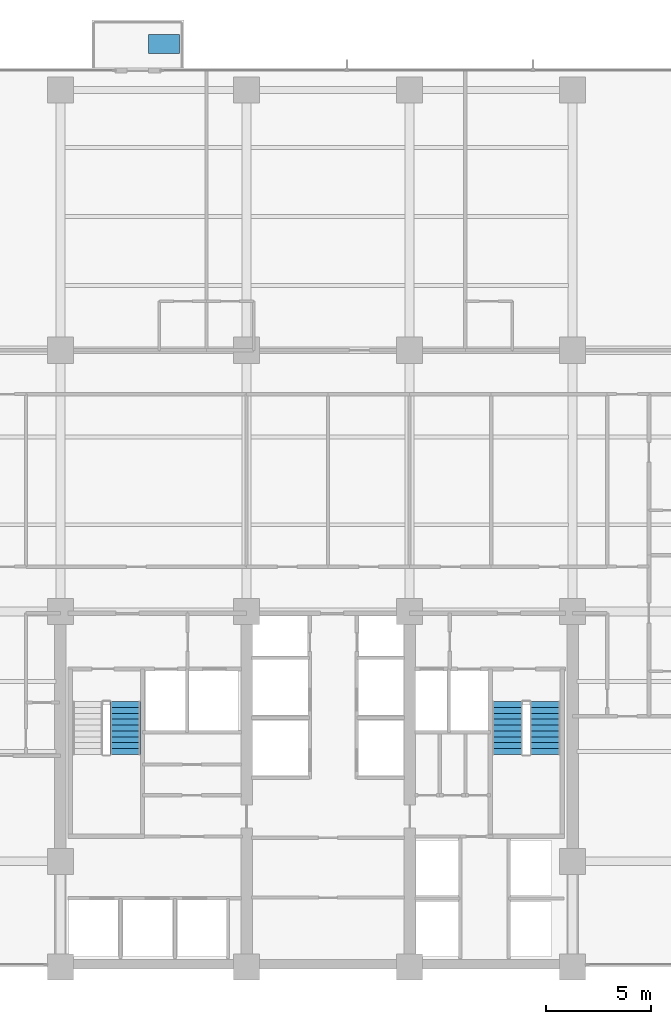
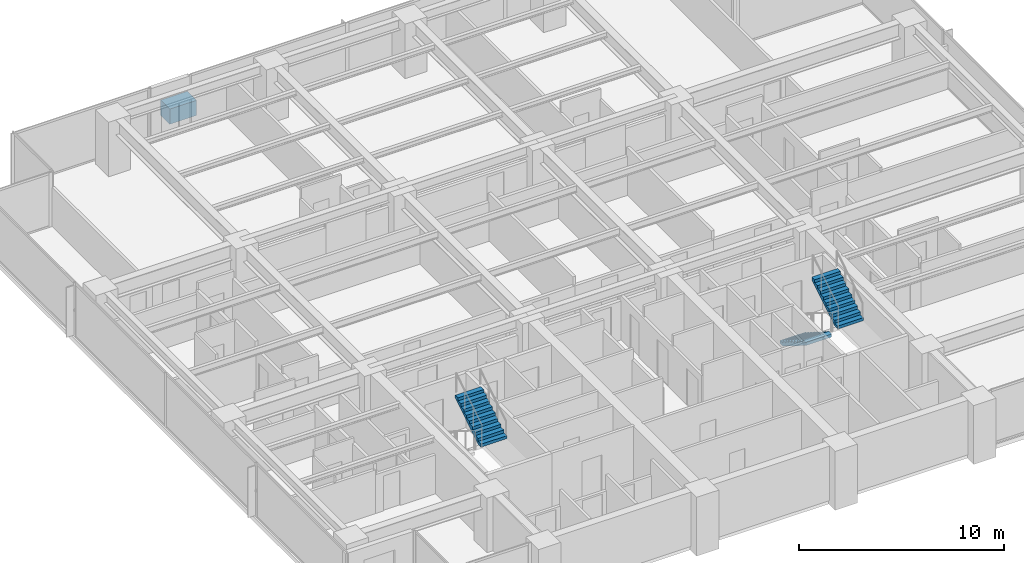
# One storey, part 12 of 17: 3 stair flights, 1 discrete accessory, 2 elements without a shape of their own.
"""IFC4 building model written with IfcOpenShell, lengths in metres."""

from ifc_helpers import new_model, si_unit, direction, frame, origin, place, context, subcontext, project, spatial, polyline, outline, extrude, material, layer, layer_set, type_object, element, aggregate, save


model = new_model("IFC4")

# Units and contexts
model_context = context("Model", 3, precision=1e-05, world=origin(), true_north=direction((0.0, 1.0)))
body_context = subcontext(model_context, "Body", "Model", "MODEL_VIEW")
ifc_project = project(units=[si_unit("LENGTHUNIT", "METRE"), si_unit("AREAUNIT", "SQUARE_METRE"), si_unit("VOLUMEUNIT", "CUBIC_METRE"), si_unit("PLANEANGLEUNIT", "RADIAN"), si_unit("MASSUNIT", "GRAM", prefix="KILO")], contexts=[model_context])

# Site, building, storey
site_placement = place(None, origin())
site = spatial("IfcSite", under=ifc_project, at=site_placement, CompositionType="ELEMENT")
building_placement = place(site_placement, origin())
building = spatial("IfcBuilding", under=site, at=building_placement, Name="Qalmaran Belvedere Hotel", CompositionType="ELEMENT")
storey_placement = place(building_placement, frame((0.0, 0.0, 119.699951171875)))
storey = spatial("IfcBuildingStorey", under=building, at=storey_placement, Name="L30", CompositionType="ELEMENT", Elevation=119.699951171875)

# Stair, stair flight
ifc_material = material(Name="Concrete C40/50", Category="concrete")
stair_type_1 = type_object("IfcStairType", Name="STR-ST-1-1450-R1750", PredefinedType="HALF_TURN_STAIR", material=ifc_material)
stair_1_placement = place(storey_placement, origin())
stair_1 = element("IfcStair", 1, at=stair_1_placement, inside=storey, type_object=stair_type_1, Name="L30 West Core Exit Stair ST-1", PredefinedType="HALF_TURN_STAIR")
ifc_layer_1 = layer(ifc_material, 0.14990234375, Name="Concrete C40/50")
ifc_layer_set_1 = layer_set([ifc_layer_1], Name="Concrete C40/50")
stair_flight_type_1 = type_object("IfcStairFlightType", Name="STF-ST-1-1450-R1750", PredefinedType="STRAIGHT", material=ifc_layer_set_1)
stair_flight_1_placement = place(storey_placement, frame((23.39501953125, 13.669921875, 1.75), z_axis=(0.0, 0.0, 1.0), x_axis=(0.0, 1.0, 0.0)))
stair_flight_1 = element("IfcStairFlight", 2, at=stair_flight_1_placement, type_object=stair_flight_type_1, Name="ST-1 flight 2", NumberOfRisers=10, NumberOfTreads=9, PredefinedType="STRAIGHT", RiserHeight=0.175, TreadLength=0.28, context=body_context, shape_type="SweptSolid", body=[
    extrude(outline(polyline([(0.0, 0.0), (0.0, 0.175048828125), (0.280029296875, 0.175048828125), (0.280029296875, 0.35009765625), (0.56005859375, 0.35009765625), (0.56005859375, 0.52490234375), (0.840087890625, 0.52490234375), (0.840087890625, 0.699951171875), (1.1201171875, 0.699951171875), (1.1201171875, 0.875), (1.39990234375, 0.875), (1.39990234375, 1.050048828125), (1.679931640625, 1.050048828125), (1.679931640625, 1.22509765625), (1.9599609375, 1.22509765625), (1.9599609375, 1.39990234375), (2.239990234375, 1.39990234375), (2.239990234375, 1.574951171875), (2.52001953125, 1.574951171875), (2.52001953125, 1.75), (2.52001953125, 1.398193359375), (0.28271484375, 0.0), (0.0, 0.0)])), frame((0.0, 0.72509765625, 0.0), z_axis=(0.0, -1.0, 0.0), x_axis=(1.0, 0.0, 0.0)), (0.0, 0.0, 1.0), 1.449951171875),
])
aggregate(stair_1, [stair_flight_1])

# Stair, stair flights
stair_type_2 = type_object("IfcStairType", Name="STR-ST-2-1450-R1750", PredefinedType="HALF_TURN_STAIR", material=ifc_material)
stair_2_placement = place(storey_placement, origin())
stair_2 = element("IfcStair", 3, at=stair_2_placement, inside=storey, type_object=stair_type_2, Name="L30 East Core Exit Stair ST-2", PredefinedType="HALF_TURN_STAIR")
ifc_layer_2 = layer(ifc_material, 0.14990234375, Name="Concrete C40/50")
ifc_layer_set_2 = layer_set([ifc_layer_2], Name="Concrete C40/50")
stair_flight_type_2 = type_object("IfcStairFlightType", Name="STF-ST-2-1450-R1750", PredefinedType="STRAIGHT", material=ifc_layer_set_2)
stair_flight_2_placement = place(storey_placement, frame((41.68505859375, 16.18994140625, 0.0), z_axis=(0.0, 0.0, 1.0), x_axis=(0.0, -1.0, 0.0)))
stair_flight_2 = element("IfcStairFlight", 4, at=stair_flight_2_placement, type_object=stair_flight_type_2, Name="ST-2 flight 1", NumberOfRisers=10, NumberOfTreads=9, PredefinedType="STRAIGHT", RiserHeight=0.175, TreadLength=0.28, context=body_context, shape_type="SweptSolid", body=[
    extrude(outline(polyline([(0.0, 0.0), (0.0, 0.175048828125), (0.280029296875, 0.175048828125), (0.280029296875, 0.35009765625), (0.56005859375, 0.35009765625), (0.56005859375, 0.52490234375), (0.840087890625, 0.52490234375), (0.840087890625, 0.699951171875), (1.1201171875, 0.699951171875), (1.1201171875, 0.875), (1.39990234375, 0.875), (1.39990234375, 1.050048828125), (1.679931640625, 1.050048828125), (1.679931640625, 1.22509765625), (1.9599609375, 1.22509765625), (1.9599609375, 1.39990234375), (2.239990234375, 1.39990234375), (2.239990234375, 1.574951171875), (2.52001953125, 1.574951171875), (2.52001953125, 1.75), (2.52001953125, 1.398193359375), (0.28271484375, 0.0), (0.0, 0.0)])), frame((0.0, 0.72509765625, 0.0), z_axis=(0.0, -1.0, 0.0), x_axis=(1.0, 0.0, 0.0)), (0.0, 0.0, 1.0), 1.449951171875),
])
stair_flight_3_placement = place(storey_placement, frame((43.47509765625, 13.669921875, 1.75), z_axis=(0.0, 0.0, 1.0), x_axis=(0.0, 1.0, 0.0)))
stair_flight_3 = element("IfcStairFlight", 5, at=stair_flight_3_placement, type_object=stair_flight_type_2, Name="ST-2 flight 2", NumberOfRisers=10, NumberOfTreads=9, PredefinedType="STRAIGHT", RiserHeight=0.175, TreadLength=0.28, context=body_context, shape_type="SweptSolid", body=[
    extrude(outline(polyline([(0.0, 0.0), (0.0, 0.175048828125), (0.280029296875, 0.175048828125), (0.280029296875, 0.35009765625), (0.56005859375, 0.35009765625), (0.56005859375, 0.52490234375), (0.840087890625, 0.52490234375), (0.840087890625, 0.699951171875), (1.1201171875, 0.699951171875), (1.1201171875, 0.875), (1.39990234375, 0.875), (1.39990234375, 1.050048828125), (1.679931640625, 1.050048828125), (1.679931640625, 1.22509765625), (1.9599609375, 1.22509765625), (1.9599609375, 1.39990234375), (2.239990234375, 1.39990234375), (2.239990234375, 1.574951171875), (2.52001953125, 1.574951171875), (2.52001953125, 1.75), (2.52001953125, 1.398193359375), (0.28271484375, 0.0), (0.0, 0.0)])), frame((0.0, 0.72509765625, 0.0), z_axis=(0.0, -1.0, 0.0), x_axis=(1.0, 0.0, 0.0)), (0.0, 0.0, 1.0), 1.449951171875),
])
aggregate(stair_2, [stair_flight_2, stair_flight_3])

# Discrete accessory
discrete_accessory_type = type_object("IfcDiscreteAccessoryType", Name="PLN-BAL-1500", PredefinedType="USERDEFINED", material=ifc_material)
discrete_accessory_placement = place(storey_placement, origin())
element("IfcDiscreteAccessory", 6, at=discrete_accessory_placement, inside=storey, type_object=discrete_accessory_type, Name="L30 Sky Tree Planter", ObjectType="PLANTER", PredefinedType="USERDEFINED", context=body_context, shape_type="SweptSolid", body=[
    extrude(outline(polyline([(24.5, 47.199951171875), (26.0, 47.199951171875), (26.0, 48.10009765625), (24.5, 48.10009765625), (24.5, 47.199951171875)])), origin(), (0.0, 0.0, 1.0), 0.900146484375),
])

save(model, "model.ifc")
